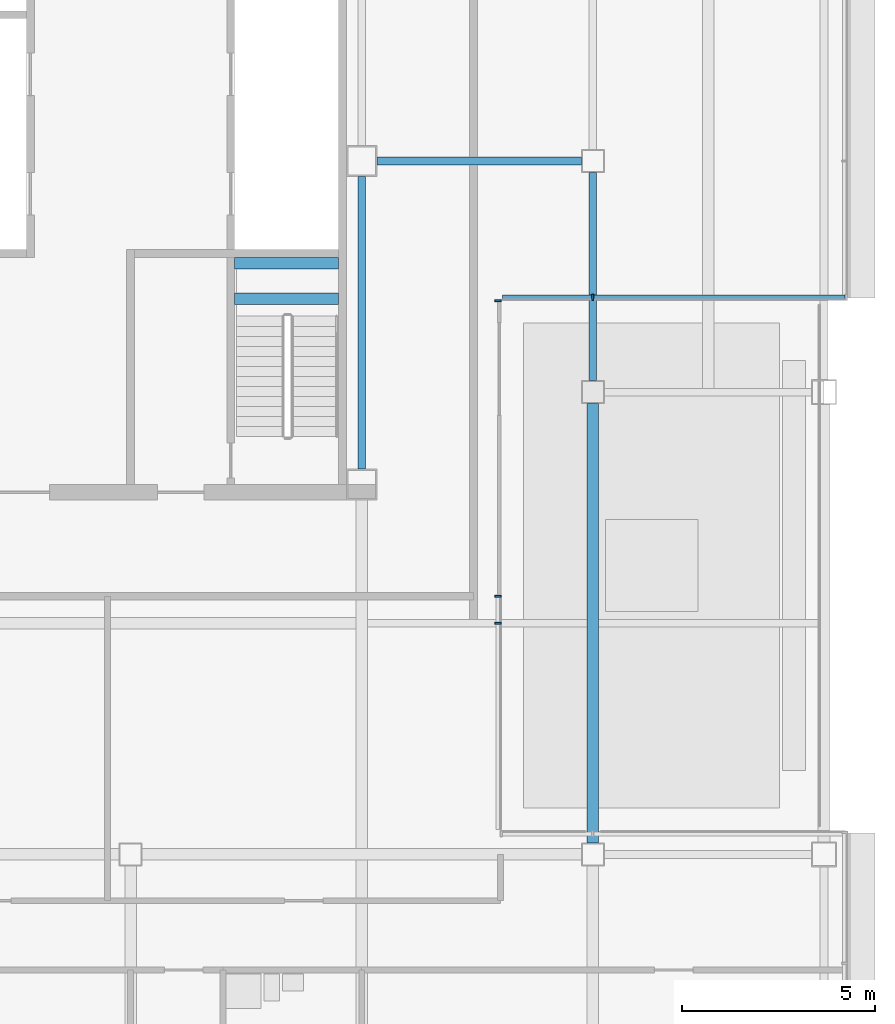
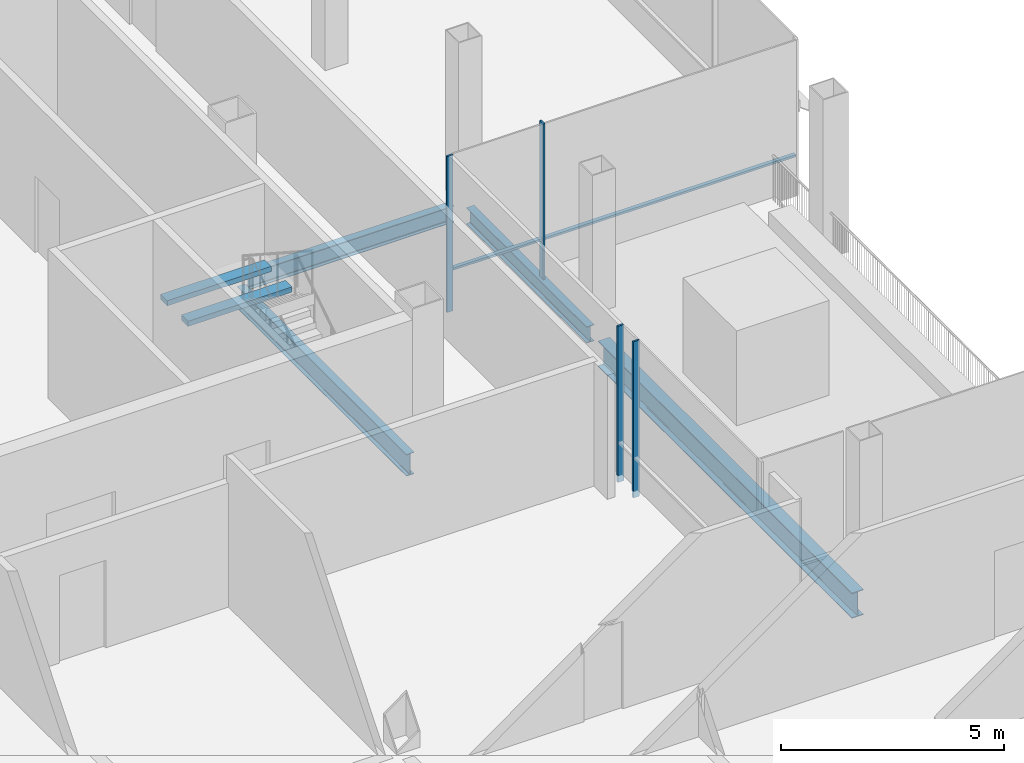
# One storey, part 11 of 30: 6 beams, 5 members, 2 elements without a shape of their own.
"""IFC4 building model written with IfcOpenShell, lengths in metres."""

from ifc_helpers import new_model, si_unit, direction, frame, origin, origin_2d, place, context, subcontext, project, spatial, rectangle, i_section, extrude, material, material_profile, profile_set, type_object, element, aggregate, save


model = new_model("IFC4")

# Units and contexts
model_context = context("Model", 3, precision=1e-05, world=origin(), true_north=direction((0.0, 1.0)))
body_context = subcontext(model_context, "Body", "Model", "MODEL_VIEW")
ifc_project = project(units=[si_unit("LENGTHUNIT", "METRE"), si_unit("AREAUNIT", "SQUARE_METRE"), si_unit("VOLUMEUNIT", "CUBIC_METRE"), si_unit("PLANEANGLEUNIT", "RADIAN"), si_unit("MASSUNIT", "GRAM", prefix="KILO")], contexts=[model_context])

# Site, building, storey
site_placement = place(None, origin())
site = spatial("IfcSite", under=ifc_project, at=site_placement, CompositionType="ELEMENT")
building_placement = place(site_placement, origin())
building = spatial("IfcBuilding", under=site, at=building_placement, Name="Sorahane Residences", CompositionType="ELEMENT")
storey_placement = place(building_placement, frame((0.0, 0.0, 229.800048828125)))
storey = spatial("IfcBuildingStorey", under=building, at=storey_placement, Name="L54", CompositionType="ELEMENT", Elevation=229.800048828125)

# Curtain wall, members
ifc_material_1 = material(Name="Dark low-e glass and black anodised aluminium", Category="aluminium")
curtain_wall_type = type_object("IfcCurtainWallType", Name="Curtain wall CW-1 Typical unitised wall", PredefinedType="NOTDEFINED", material=ifc_material_1)
curtain_wall_1_placement = place(storey_placement, origin())
curtain_wall_1 = element("IfcCurtainWall", 1, at=curtain_wall_1_placement, inside=storey, type_object=curtain_wall_type, Name="CW-1 curtain wall L54 E2", PredefinedType="NOTDEFINED")
ifc_material_2 = material(Name="Black anodised aluminium", Category="aluminium")
ifc_material_profile_1 = material_profile(ifc_material_2, rectangle(XDim=0.159912109375, YDim=0.050048828125, at=origin_2d()), Name="Curtain wall mullion CW-1 black anodised aluminium 50x160")
ifc_profile_set_1 = profile_set([ifc_material_profile_1], Name="Black anodised aluminium")
member_type_1 = type_object("IfcMemberType", Name="Curtain wall mullion CW-1 black anodised aluminium 50x160", PredefinedType="MULLION", material=ifc_profile_set_1)
member_1_placement = place(storey_placement, frame((45.5400390625, 18.0, -0.179931640625), z_axis=(0.0, 0.0, 1.0), x_axis=(1.0, 0.0, 0.0)))
member_1 = element("IfcMember", 2, at=member_1_placement, type_object=member_type_1, Name="CW-1 mullion L54 E2.2", PredefinedType="MULLION", context=body_context, shape_type="SweptSolid", body=[
    extrude(rectangle(XDim=0.159912109375, YDim=0.050048828125, at=origin_2d()), origin(), (0.0, 0.0, 1.0), 4.27978515625),
])
member_2_placement = place(storey_placement, frame((45.5400390625, 18.699951171875, -0.179931640625), z_axis=(0.0, 0.0, 1.0), x_axis=(1.0, 0.0, 0.0)))
member_2 = element("IfcMember", 3, at=member_2_placement, type_object=member_type_1, Name="CW-1 mullion L54 E2.3", PredefinedType="MULLION", context=body_context, shape_type="SweptSolid", body=[
    extrude(rectangle(XDim=0.159912109375, YDim=0.050048828125, at=origin_2d()), origin(), (0.0, 0.0, 1.0), 4.27978515625),
])
member_3_placement = place(storey_placement, frame((45.5400390625, 26.375, -0.179931640625), z_axis=(0.0, 0.0, 1.0), x_axis=(1.0, 0.0, 0.0)))
member_3 = element("IfcMember", 4, at=member_3_placement, type_object=member_type_1, Name="CW-1 mullion L54 E2.5", PredefinedType="MULLION", context=body_context, shape_type="SweptSolid", body=[
    extrude(rectangle(XDim=0.159912109375, YDim=0.050048828125, at=origin_2d()), origin(), (0.0, 0.0, 1.0), 4.27978515625),
])
aggregate(curtain_wall_1, [member_1, member_2, member_3])

curtain_wall_2_placement = place(storey_placement, origin())
curtain_wall_2 = element("IfcCurtainWall", 5, at=curtain_wall_2_placement, inside=storey, type_object=curtain_wall_type, Name="CW-1 curtain wall L54 S1", PredefinedType="NOTDEFINED")
member_4_placement = place(storey_placement, frame((48.0, 26.4599609375, -0.179931640625), z_axis=(0.0, 0.0, 1.0), x_axis=(0.0, -1.0, 0.0)))
member_4 = element("IfcMember", 6, at=member_4_placement, type_object=member_type_1, Name="CW-1 mullion L54 S1.2", PredefinedType="MULLION", context=body_context, shape_type="SweptSolid", body=[
    extrude(rectangle(XDim=0.159912109375, YDim=0.050048828125, at=origin_2d()), origin(), (0.0, 0.0, 1.0), 4.27978515625),
])
ifc_material_3 = material(Name="Black anodised aluminium", Category="aluminium")
ifc_material_profile_2 = material_profile(ifc_material_3, rectangle(XDim=0.10009765625, YDim=0.06005859375, at=origin_2d()), Name="Curtain wall transom CW-1 black anodised aluminium 60x100")
ifc_profile_set_2 = profile_set([ifc_material_profile_2], Name="Black anodised aluminium")
member_type_2 = type_object("IfcMemberType", Name="Curtain wall transom CW-1 black anodised aluminium 60x100", PredefinedType="USERDEFINED", material=ifc_profile_set_2)
member_5_placement = place(storey_placement, frame((45.64990234375, 26.469970703125, 0.89990234375), z_axis=(1.0, 0.0, 0.0), x_axis=(0.0, 1.0, 0.0)))
member_5 = element("IfcMember", 7, at=member_5_placement, type_object=member_type_2, Name="CW-1 transom L54 S1", ObjectType="TRANSOM", PredefinedType="USERDEFINED", context=body_context, shape_type="SweptSolid", body=[
    extrude(rectangle(XDim=0.10009765625, YDim=0.06005859375, at=origin_2d()), origin(), (0.0, 0.0, 1.0), 8.900146484375),
])
aggregate(curtain_wall_2, [member_4, member_5])

# Beams
ifc_material_4 = material(Name="Concrete C40", Category="concrete")
ifc_material_profile_3 = material_profile(ifc_material_4, rectangle(XDim=0.300048828125, YDim=0.139892578125, at=origin_2d()), Name="300x140")
ifc_profile_set_3 = profile_set([ifc_material_profile_3], Name="Concrete C40")
beam_type_1 = type_object("IfcBeamType", Name="RC landing beam 300 x 140 Concrete C40", PredefinedType="BEAM", material=ifc_profile_set_3)
for number, where, z_axis, x_axis, name in (
    (8, (38.699951171875, 26.419921875, 1.929931640625), (1.0, 0.0, 0.0), (0.0, 1.0, 0.0), "Landing beam"),
    (9, (38.699951171875, 27.35009765625, 1.929931640625), (1.0, 0.0, 0.0), (0.0, 1.0, 0.0), "Landing beam"),
):
    element("IfcBeam", number, at=place(storey_placement, frame(where, z_axis=z_axis, x_axis=x_axis)), inside=storey, type_object=beam_type_1, Name=name, PredefinedType="BEAM", context=body_context, shape_type="SweptSolid", body=[
        extrude(rectangle(XDim=0.300048828125, YDim=0.139892578125, at=origin_2d()), origin(), (0.0, 0.0, 1.0), 2.699951171875),
    ])
ifc_material_5 = material(Name="Steel Q355B", Category="steel")
ifc_material_profile_4 = material_profile(ifc_material_5, i_section(OverallWidth=0.199951171875, OverallDepth=0.449951171875, WebThickness=0.009033203125, FlangeThickness=0.013916015625, FilletRadius=0.02001953125, at=origin_2d()), Name="HN 450x200x9x14")
ifc_profile_set_4 = profile_set([ifc_material_profile_4], Name="Steel Q355B")
beam_type_2 = type_object("IfcBeamType", Name="Steel floor beam HN 450x200x9x14 Q355B", PredefinedType="BEAM", material=ifc_profile_set_4)
beam_1_placement = place(storey_placement, frame((48.0, 24.300048828125, -0.405029296875), z_axis=(0.0, 1.0, 0.0), x_axis=(-1.0, 0.0, 0.0)))
element("IfcBeam", 10, at=beam_1_placement, inside=storey, type_object=beam_type_2, Name="Beam L54 060", PredefinedType="BEAM", context=body_context, shape_type="SweptSolid", body=[
    extrude(i_section(OverallWidth=0.199951171875, OverallDepth=0.449951171875, WebThickness=0.009033203125, FlangeThickness=0.013916015625, FilletRadius=0.02001953125, at=origin_2d()), origin(), (0.0, 0.0, 1.0), 5.39990234375),
])
beam_2_placement = place(storey_placement, frame((42.39990234375, 30.0, -0.405029296875), z_axis=(1.0, 0.0, 0.0), x_axis=(0.0, 1.0, 0.0)))
element("IfcBeam", 11, at=beam_2_placement, inside=storey, type_object=beam_type_2, Name="Beam L54 086", PredefinedType="BEAM", context=body_context, shape_type="SweptSolid", body=[
    extrude(i_section(OverallWidth=0.199951171875, OverallDepth=0.449951171875, WebThickness=0.009033203125, FlangeThickness=0.013916015625, FilletRadius=0.02001953125, at=origin_2d()), origin(), (0.0, 0.0, 1.0), 5.300048828125),
])
ifc_material_6 = material(Name="Steel Q355B", Category="steel")
ifc_material_profile_5 = material_profile(ifc_material_6, i_section(OverallWidth=0.199951171875, OverallDepth=0.60009765625, WebThickness=0.010986328125, FlangeThickness=0.01708984375, FilletRadius=0.02392578125, at=origin_2d()), Name="HN 600x200x11x17")
ifc_profile_set_5 = profile_set([ifc_material_profile_5], Name="Steel Q355B")
beam_type_3 = type_object("IfcBeamType", Name="Steel floor beam HN 600x200x11x17 Q355B", PredefinedType="BEAM", material=ifc_profile_set_5)
beam_3_placement = place(storey_placement, frame((42.0, 22.0, -0.47998046875), z_axis=(0.0, 1.0, 0.0), x_axis=(-1.0, 0.0, 0.0)))
element("IfcBeam", 12, at=beam_3_placement, inside=storey, type_object=beam_type_3, Name="Beam L54 054", PredefinedType="BEAM", context=body_context, shape_type="SweptSolid", body=[
    extrude(i_section(OverallWidth=0.199951171875, OverallDepth=0.60009765625, WebThickness=0.010986328125, FlangeThickness=0.01708984375, FilletRadius=0.02392578125, at=origin_2d()), origin(), (0.0, 0.0, 1.0), 7.60009765625),
])
ifc_material_7 = material(Name="Steel Q355B", Category="steel")
ifc_material_profile_6 = material_profile(ifc_material_7, i_section(OverallWidth=0.300048828125, OverallDepth=0.699951171875, WebThickness=0.012939453125, FlangeThickness=0.02392578125, FilletRadius=0.028076171875, at=origin_2d()), Name="HN 700x300x13x24")
ifc_profile_set_6 = profile_set([ifc_material_profile_6], Name="Steel Q355B")
beam_type_4 = type_object("IfcBeamType", Name="Steel floor beam HN 700x300x13x24 Q355B", PredefinedType="BEAM", material=ifc_profile_set_6)
beam_4_placement = place(storey_placement, frame((48.0, 12.300048828125, -0.530029296875), z_axis=(0.0, 1.0, 0.0), x_axis=(-1.0, 0.0, 0.0)))
element("IfcBeam", 13, at=beam_4_placement, inside=storey, type_object=beam_type_4, Name="Beam L54 059", PredefinedType="BEAM", context=body_context, shape_type="SweptSolid", body=[
    extrude(i_section(OverallWidth=0.300048828125, OverallDepth=0.699951171875, WebThickness=0.012939453125, FlangeThickness=0.02392578125, FilletRadius=0.028076171875, at=origin_2d()), origin(), (0.0, 0.0, 1.0), 11.39990234375),
])

save(model, "model.ifc")
